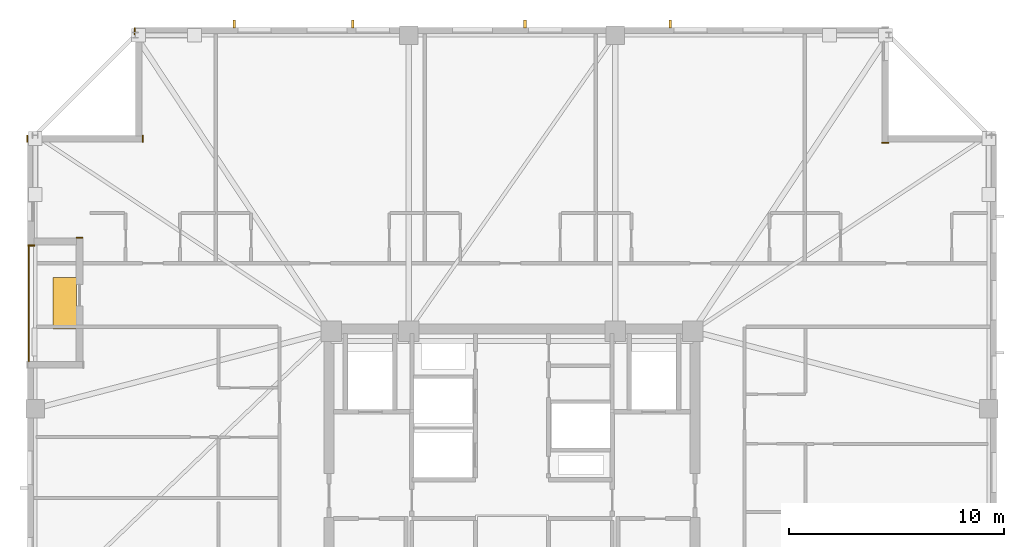
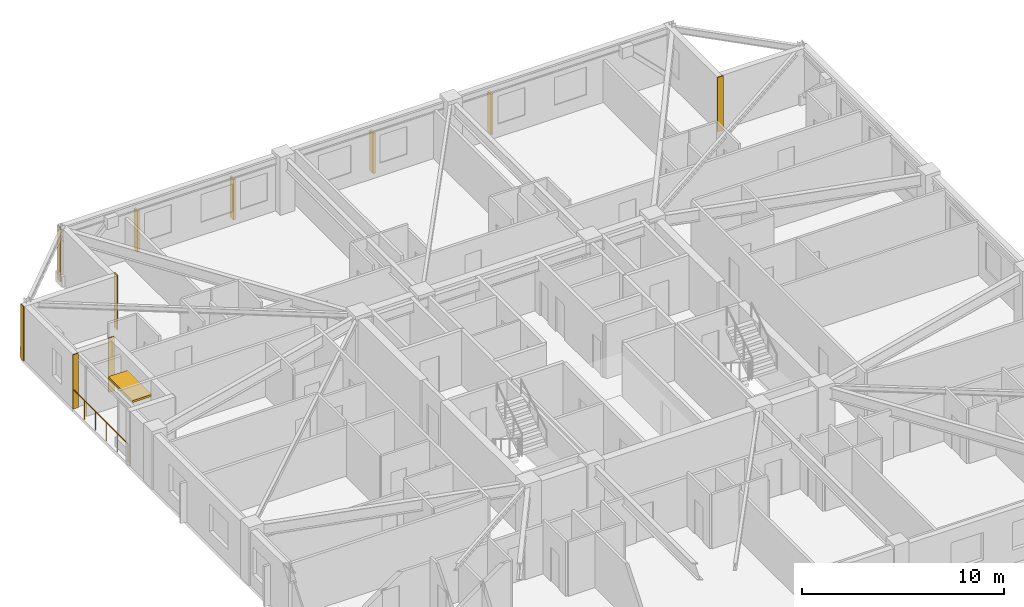
# One storey, part 16 of 17: 6 coverings, 5 shading devices, 1 railing.
"""IFC4 building model written with IfcOpenShell, lengths in metres."""

from ifc_helpers import new_model, si_unit, direction, frame, frame_2d, origin, origin_2d, place, context, subcontext, project, spatial, rectangle, circle, extrude, material, layer, layer_set, type_object, element, save


model = new_model("IFC4")

# Units and contexts
model_context = context("Model", 3, precision=1e-05, world=origin(), true_north=direction((0.0, 1.0)))
body_context = subcontext(model_context, "Body", "Model", "MODEL_VIEW")
ifc_project = project(units=[si_unit("LENGTHUNIT", "METRE"), si_unit("AREAUNIT", "SQUARE_METRE"), si_unit("VOLUMEUNIT", "CUBIC_METRE"), si_unit("PLANEANGLEUNIT", "RADIAN"), si_unit("MASSUNIT", "GRAM", prefix="KILO")], contexts=[model_context])

# Site, building, storey
site_placement = place(None, origin())
site = spatial("IfcSite", under=ifc_project, at=site_placement, CompositionType="ELEMENT")
building_placement = place(site_placement, origin())
building = spatial("IfcBuilding", under=site, at=building_placement, Name="Cairnveth Concourse Tower", CompositionType="ELEMENT")
storey_placement = place(building_placement, frame((0.0, 0.0, 234.0)))
storey = spatial("IfcBuildingStorey", under=building, at=storey_placement, Name="L64", CompositionType="ELEMENT", Elevation=234.0)

# Coverings
ifc_material_1 = material(Name="Dressed Melbourne Bluestone Cladding", Category="masonry")
ifc_layer = layer(ifc_material_1, 0.050048828125)
ifc_layer_set = layer_set([ifc_layer], Name="Dressed Melbourne Bluestone Cladding")
covering_type = type_object("IfcCoveringType", Name="DRESSED BLUESTONE PLINTH CLADDING 50", PredefinedType="CLADDING", material=ifc_layer_set)
for number, where, z_axis, x_axis, name in (
    (1, (29.820068359375, 51.3798828125, 0.0), (0.0, 0.0, 1.0), (-1.0, 0.0, 0.0), "Melbourne Bluestone Corner Quoin L64-959"),
    (2, (29.47998046875, 56.179931640625, 0.0), (0.0, 0.0, 1.0), (0.0, 1.0, 0.0), "Melbourne Bluestone Corner Quoin L64-960"),
    (3, (34.840087890625, 56.179931640625, 0.0), (0.0, 0.0, 1.0), (0.0, 1.0, 0.0), "Melbourne Bluestone Corner Quoin L64-961"),
    (4, (34.47998046875, 61.179931640625, 0.0), (0.0, 0.0, 1.0), (0.0, 1.0, 0.0), "Melbourne Bluestone Corner Quoin L64-962"),
    (5, (69.179931640625, 56.159912109375, 0.0), (0.0, 0.0, 1.0), (1.0, 0.0, 0.0), "Melbourne Bluestone Corner Quoin L64-964"),
    (6, (32.070068359375, 51.739990234375, 0.0), (0.0, 0.0, 1.0), (-1.0, 0.0, 0.0), "Melbourne Bluestone Corner Quoin L64-974"),
):
    element("IfcCovering", number, at=place(storey_placement, frame(where, z_axis=z_axis, x_axis=x_axis)), inside=storey, type_object=covering_type, Name=name, PredefinedType="CLADDING", context=body_context, shape_type="SweptSolid", body=[
        extrude(rectangle(XDim=0.320068359375, YDim=0.050048828125, at=frame_2d((0.16015625, 0.0))), origin(), (0.0, 0.0, 1.0), 3.2900390625),
    ])

# Shading devices
ifc_material_2 = material(Name="Architectural Bronze Anodised Aluminium 6063-T6", Category="aluminium")
shading_device_type_1 = type_object("IfcShadingDeviceType", Name="GOTHIC BRONZE VERTICAL LANCET FIN", PredefinedType="USERDEFINED", material=ifc_material_2)
for number, where, z_axis, x_axis, name in (
    (7, (39.1025390625, 61.675048828125, 0.030029296875), (0.0, 0.0, 1.0), (1.0, 0.0, 0.0), "Gothic Bronze Vertical Fin L64-3-1"),
    (8, (44.60302734375, 61.675048828125, 0.030029296875), (0.0, 0.0, 1.0), (1.0, 0.0, 0.0), "Gothic Bronze Vertical Fin L64-3-3"),
    (9, (52.603515625, 61.675048828125, 0.030029296875), (0.0, 0.0, 1.0), (1.0, 0.0, 0.0), "Gothic Bronze Vertical Fin L64-3-5"),
    (10, (59.35400390625, 61.675048828125, 0.030029296875), (0.0, 0.0, 1.0), (1.0, 0.0, 0.0), "Gothic Bronze Vertical Fin L64-3-7"),
):
    element("IfcShadingDevice", number, at=place(storey_placement, frame(where, z_axis=z_axis, x_axis=x_axis)), inside=storey, type_object=shading_device_type_1, Name=name, ObjectType="VERTICAL FIN", PredefinedType="USERDEFINED", context=body_context, shape_type="SweptSolid", body=[
        extrude(rectangle(XDim=0.1201171875, YDim=0.360107421875, at=origin_2d()), origin(), (0.0, 0.0, 1.0), 2.43798828125),
    ])
shading_device_type_2 = type_object("IfcShadingDeviceType", Name="SPIRAL TERRACE SUNSHADE CANOPY", PredefinedType="USERDEFINED", material=ifc_material_2)
shading_device_placement = place(storey_placement, frame((31.22998046875, 48.699951171875, 2.31787109375), z_axis=(0.0, 0.0, 1.0), x_axis=(1.0, 0.0, 0.0)))
element("IfcShadingDevice", 11, at=shading_device_placement, inside=storey, type_object=shading_device_type_2, Name="Spiral Terrace Sunshade L64", ObjectType="TERRACE SUNSHADE", PredefinedType="USERDEFINED", context=body_context, shape_type="SweptSolid", body=[
    extrude(rectangle(XDim=1.10009765625, YDim=2.39990234375, at=origin_2d()), origin(), (0.0, 0.0, 1.0), 0.1201171875),
])

# Railing
railing_type = type_object("IfcRailingType", Name="TERRACE BRONZE BALUSTRADE 1150", PredefinedType="BALUSTRADE", material=ifc_material_2)
railing_placement = place(storey_placement, frame((29.56005859375, 46.0, 0.0)))
element("IfcRailing", 12, at=railing_placement, inside=storey, type_object=railing_type, Name="Terrace Balustrade RL-L64-TERR", PredefinedType="BALUSTRADE", context=body_context, shape_type="SweptSolid", body=[
    extrude(circle(Radius=0.02490234375, at=origin_2d()), frame((0.0, 0.0, 1.125), z_axis=(0.0, 1.0, 0.0), x_axis=(-1.0, 0.0, 0.0)), (0.0, 0.0, 1.0), 5.39990234375),
    extrude(circle(Radius=0.02099609375, at=origin_2d()), origin(), (0.0, 0.0, 1.0), 1.099853515625),
    extrude(circle(Radius=0.02099609375, at=origin_2d()), frame((0.0, 1.080078125, 0.0)), (0.0, 0.0, 1.0), 1.099853515625),
    extrude(circle(Radius=0.02099609375, at=origin_2d()), frame((0.0, 2.159912109375, 0.0)), (0.0, 0.0, 1.0), 1.099853515625),
    extrude(circle(Radius=0.02099609375, at=origin_2d()), frame((0.0, 3.239990234375, 0.0)), (0.0, 0.0, 1.0), 1.099853515625),
    extrude(circle(Radius=0.02099609375, at=origin_2d()), frame((0.0, 4.31982421875, 0.0)), (0.0, 0.0, 1.0), 1.099853515625),
    extrude(circle(Radius=0.02099609375, at=origin_2d()), frame((0.0, 5.39990234375, 0.0)), (0.0, 0.0, 1.0), 1.099853515625),
])

save(model, "model.ifc")
